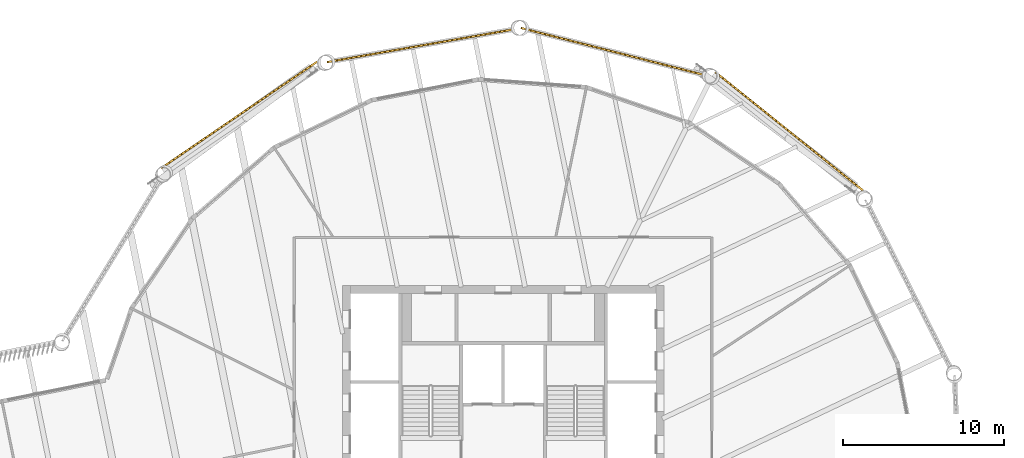
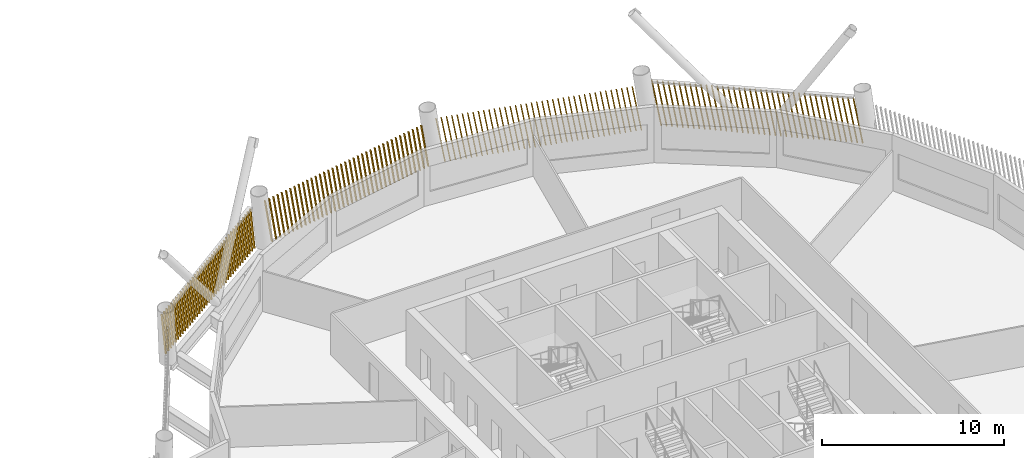
# One storey, part 20 of 21: 4 shading devices.
"""IFC4 building model written with IfcOpenShell, lengths in metres."""

import ifcopenshell
import ifcopenshell.guid

model = None  # the IFC model being written
_history = None  # IfcOwnerHistory: only IFC2X3 demands one
_inside = {}  # id of a spatial element -> (the spatial element, [elements in it])
_under = {}  # id of a project, library or spatial element -> (it, [spatial elements below it])
_declared = {}  # id of a project -> (the project, [libraries it declares])
_typed = {}  # id of a type object -> (the type object, [elements of that type])
_made_of = {}  # id of a material, layer set ... -> (it, [elements and type objects made of it])


def new_model(schema):
    """Start an empty IFC model of exactly this schema.

    Asked for "IFC4X3", IfcOpenShell would pick the latest addendum, in which some entities
    have other attributes; the version numbers below select the first issue.
    IFC2X3 requires an IfcOwnerHistory on every rooted entity: one is made here for all.
    """
    global model, _history
    if schema == "IFC4X3":
        model = ifcopenshell.file(schema_version=(4, 3, 0, 0))
    else:
        model = ifcopenshell.file(schema=schema)
    _inside.clear()
    _under.clear()
    _declared.clear()
    _typed.clear()
    _made_of.clear()
    _history = None
    if model.schema == "IFC2X3":
        org = make("IfcOrganization", Name="unknown")
        user = make(
            "IfcPersonAndOrganization",
            ThePerson=make("IfcPerson", FamilyName="unknown"),
            TheOrganization=org,
        )
        app = make(
            "IfcApplication",
            ApplicationDeveloper=org,
            Version="unknown",
            ApplicationFullName="unknown",
            ApplicationIdentifier="unknown",
        )
        _history = make(
            "IfcOwnerHistory",
            OwningUser=user,
            OwningApplication=app,
            ChangeAction="ADDED",
            CreationDate=0,
        )
    return model


def make(cls, **values):
    """One entity of the class cls with the attributes given. An attribute that is None is left unset."""
    return model.create_entity(
        cls, **{name: value for name, value in values.items() if value is not None}
    )


def rooted(cls, **values):
    """An entity with a GlobalId (a new one), such as an element, a storey or a relation."""
    return make(cls, GlobalId=ifcopenshell.guid.new(), OwnerHistory=_history, **values)


def si_unit(unit_type, name, prefix=None):
    """IfcSIUnit, for example si_unit("LENGTHUNIT", "METRE", prefix="MILLI")."""
    return make("IfcSIUnit", UnitType=unit_type, Prefix=prefix, Name=name)


def assignment(units):
    """IfcUnitAssignment: the units of a project."""
    return None if units is None else make("IfcUnitAssignment", Units=units)


def point(xyz):
    """IfcCartesianPoint."""
    return None if xyz is None else make("IfcCartesianPoint", Coordinates=xyz)


def direction(xyz):
    """IfcDirection."""
    return None if xyz is None else make("IfcDirection", DirectionRatios=xyz)


def frame(location, z_axis=None, x_axis=None):
    """IfcAxis2Placement3D, a coordinate frame: its origin and axes. An axis left out is left unset."""
    return make(
        "IfcAxis2Placement3D",
        Location=point(location),
        Axis=direction(z_axis),
        RefDirection=direction(x_axis),
    )


def frame_2d(location, x_axis=None):
    """IfcAxis2Placement2D, a coordinate frame in the plane: its origin and x axis."""
    return make(
        "IfcAxis2Placement2D", Location=point(location), RefDirection=direction(x_axis)
    )


def origin():
    """The frame at (0, 0, 0) with its axes left unset."""
    return frame((0.0, 0.0, 0.0))


def place(relative_to, where):
    """IfcLocalPlacement: puts the frame where relative to a parent placement (None: the world)."""
    return make(
        "IfcLocalPlacement", PlacementRelTo=relative_to, RelativePlacement=where
    )


def context(
    kind, dimensions, precision=None, world=None, true_north=None, identifier=None
):
    """IfcGeometricRepresentationContext, for example the 3D "Model" context."""
    return make(
        "IfcGeometricRepresentationContext",
        ContextIdentifier=identifier,
        ContextType=kind,
        CoordinateSpaceDimension=dimensions,
        Precision=precision,
        WorldCoordinateSystem=world,
        TrueNorth=true_north,
    )


def subcontext(parent, identifier, kind, view, scale=None):
    """IfcGeometricRepresentationSubContext, for example "Body" below "Model"."""
    return make(
        "IfcGeometricRepresentationSubContext",
        ContextIdentifier=identifier,
        ContextType=kind,
        ParentContext=parent,
        TargetScale=scale,
        TargetView=view,
    )


def project(units=None, contexts=None):
    """IfcProject with its units and contexts."""
    return rooted(
        "IfcProject",
        Name="project",
        RepresentationContexts=contexts,
        UnitsInContext=assignment(units),
    )


def spatial(cls, under=None, at=None, **own):
    """A site, building, storey or space (cls), placed at a placement, below another one or the project."""
    s = rooted(cls, ObjectPlacement=at, **own)
    if under is not None:
        _under.setdefault(under.id(), (under, []))[1].append(s)
    return s


def profile(cls, at=None, kind="AREA", **sizes):
    """A parametric profile (cls). Its sizes go by their IFC names, for example OverallWidth=200.0."""
    return make(cls, ProfileType=kind, Position=at, **sizes)


def rectangle(**sizes):
    """IfcRectangleProfileDef."""
    return profile("IfcRectangleProfileDef", **sizes)


def composite_profile(profiles, kind="AREA"):
    """IfcCompositeProfileDef: several profiles as one."""
    return make("IfcCompositeProfileDef", ProfileType=kind, Profiles=profiles)


def extrude(swept, where, along, depth):
    """IfcExtrudedAreaSolid: the profile swept, set in the frame where, extruded along a direction by depth."""
    return make(
        "IfcExtrudedAreaSolid",
        SweptArea=swept,
        Position=where,
        ExtrudedDirection=direction(along),
        Depth=depth,
    )


def shape(context_of_items, identifier, shape_type, items):
    """IfcShapeRepresentation: the items that make up one representation, for example the "Body"."""
    return make(
        "IfcShapeRepresentation",
        ContextOfItems=context_of_items,
        RepresentationIdentifier=identifier,
        RepresentationType=shape_type,
        Items=items,
    )


def material(Name=None, Category=None):
    """IfcMaterial."""
    return make("IfcMaterial", Name=Name, Category=Category)


def made_of(thing, what):
    """Note that an element or type object is made of a material, layer set ...; save() writes the relation."""
    if what is not None:
        _made_of.setdefault(what.id(), (what, []))[1].append(thing)
    return thing


def type_object(cls, material=None, **own):
    """A type object (cls), such as IfcWallType, which elements share."""
    return made_of(rooted(cls, **own), material)


def element(
    cls,
    number,
    at=None,
    inside=None,
    cuts=None,
    type_object=None,
    material=None,
    context=None,
    identifier="Body",
    shape_type=None,
    held_by="IfcProductDefinitionShape",
    body=None,
    shapes=None,
    **own,
):
    """One element of the class cls, such as IfcWall. Its Tag is "e" and its number.

    at: its placement. inside: the storey or other place that contains it. cuts: it is an
    opening in that element (IfcRelVoidsElement). A single representation is given by context,
    identifier, shape_type and body (its items); several are given by shapes. held_by: the class
    of the entity that holds the representations. save() writes the other relations.
    """
    e = rooted(cls, Tag="e%d" % number, ObjectPlacement=at, **own)
    if body is not None:
        shapes = [shape(context, identifier, shape_type, body)]
    if shapes is not None:
        e.Representation = make(held_by, Representations=shapes)
    if inside is not None:
        _inside.setdefault(inside.id(), (inside, []))[1].append(e)
    if cuts is not None:
        rooted(
            "IfcRelVoidsElement", RelatingBuildingElement=cuts, RelatedOpeningElement=e
        )
    if type_object is not None:
        _typed.setdefault(type_object.id(), (type_object, []))[1].append(e)
    return made_of(e, material)


def aggregate(whole, parts):
    """IfcRelAggregates: a whole, such as a stair, and the parts it consists of."""
    return rooted("IfcRelAggregates", RelatingObject=whole, RelatedObjects=parts)


def save(model, path):
    """Write the relations noted so far, then the file.

    IfcRelAggregates (storeys below a building ...), IfcRelContainedInSpatialStructure (elements
    in a storey), IfcRelDefinesByType, IfcRelAssociatesMaterial and IfcRelDeclares: one each for
    every whole, place, type object, material and project.
    """
    for whole, parts in _under.values():
        aggregate(whole, parts)
    for where, things in _inside.values():
        rooted(
            "IfcRelContainedInSpatialStructure",
            RelatedElements=things,
            RelatingStructure=where,
        )
    for kind, things in _typed.values():
        rooted("IfcRelDefinesByType", RelatedObjects=things, RelatingType=kind)
    for what, things in _made_of.values():
        rooted("IfcRelAssociatesMaterial", RelatedObjects=things, RelatingMaterial=what)
    for by, libraries in _declared.values():
        rooted("IfcRelDeclares", RelatingContext=by, RelatedDefinitions=libraries)
    model.write(path)


model = new_model("IFC4")

# Units and contexts
model_context = context("Model", 3, precision=1e-05, world=origin(), true_north=direction((0.0, 1.0)))
body_context = subcontext(model_context, "Body", "Model", "MODEL_VIEW")
ifc_project = project(units=[si_unit("LENGTHUNIT", "METRE"), si_unit("AREAUNIT", "SQUARE_METRE"), si_unit("VOLUMEUNIT", "CUBIC_METRE"), si_unit("PLANEANGLEUNIT", "RADIAN"), si_unit("MASSUNIT", "GRAM", prefix="KILO")], contexts=[model_context])

# Site, building, storey
site_placement = place(None, origin())
site = spatial("IfcSite", under=ifc_project, at=site_placement, CompositionType="ELEMENT")
building_placement = place(site_placement, origin())
building = spatial("IfcBuilding", under=site, at=building_placement, Name="Tarsis Ring Headquarters", CompositionType="ELEMENT")
storey_placement = place(building_placement, frame((0.0, 0.0, 331.39990234375)))
storey = spatial("IfcBuildingStorey", under=building, at=storey_placement, Name="L78", CompositionType="ELEMENT", Elevation=331.39990234375)

# Shading devices
ifc_material = material(Name="Terracotta baguette", Category="masonry")
shading_device_type = type_object("IfcShadingDeviceType", Name="Terracotta baguette screen", PredefinedType="USERDEFINED", material=ifc_material)
shading_device_1_placement = place(storey_placement, frame((22.388427734375, 18.924560546875, 0.0), z_axis=(0.0, 0.0, 1.0), x_axis=(-0.780080736175, 0.625661949822, 0.0)))
element("IfcShadingDevice", 1, at=shading_device_1_placement, inside=storey, type_object=shading_device_type, Name="Baguette screen L78-10", ObjectType="Terracotta baguette screen", PredefinedType="USERDEFINED", context=body_context, shape_type="SweptSolid", body=[
    extrude(composite_profile([rectangle(XDim=0.06005859375, YDim=0.1201171875, at=frame_2d((0.030029296875, 0.0))), rectangle(XDim=0.06005859375, YDim=0.1201171875, at=frame_2d((0.33251953125, 0.0))), rectangle(XDim=0.06005859375, YDim=0.1201171875, at=frame_2d((0.634765625, 0.0))), rectangle(XDim=0.06005859375, YDim=0.1201171875, at=frame_2d((0.937255859375, 0.0))), rectangle(XDim=0.06005859375, YDim=0.1201171875, at=frame_2d((1.239501953125, 0.0))), rectangle(XDim=0.06005859375, YDim=0.1201171875, at=frame_2d((1.5419921875, 0.0))), rectangle(XDim=0.06005859375, YDim=0.1201171875, at=frame_2d((1.844482421875, 0.0))), rectangle(XDim=0.06005859375, YDim=0.1201171875, at=frame_2d((2.146728515625, 0.0))), rectangle(XDim=0.06005859375, YDim=0.1201171875, at=frame_2d((2.44921875, 0.0))), rectangle(XDim=0.06005859375, YDim=0.1201171875, at=frame_2d((2.751708984375, 0.0))), rectangle(XDim=0.06005859375, YDim=0.1201171875, at=frame_2d((3.053955078125, 0.0))), rectangle(XDim=0.06005859375, YDim=0.1201171875, at=frame_2d((3.3564453125, 0.0))), rectangle(XDim=0.06005859375, YDim=0.1201171875, at=frame_2d((3.65869140625, 0.0))), rectangle(XDim=0.06005859375, YDim=0.1201171875, at=frame_2d((3.961181640625, 0.0))), rectangle(XDim=0.06005859375, YDim=0.1201171875, at=frame_2d((4.263671875, 0.0))), rectangle(XDim=0.06005859375, YDim=0.1201171875, at=frame_2d((4.56591796875, 0.0))), rectangle(XDim=0.06005859375, YDim=0.1201171875, at=frame_2d((4.868408203125, 0.0))), rectangle(XDim=0.06005859375, YDim=0.1201171875, at=frame_2d((5.1708984375, 0.0))), rectangle(XDim=0.06005859375, YDim=0.1201171875, at=frame_2d((5.47314453125, 0.0))), rectangle(XDim=0.06005859375, YDim=0.1201171875, at=frame_2d((5.775634765625, 0.0))), rectangle(XDim=0.06005859375, YDim=0.1201171875, at=frame_2d((6.077880859375, 0.0))), rectangle(XDim=0.06005859375, YDim=0.1201171875, at=frame_2d((6.38037109375, 0.0))), rectangle(XDim=0.06005859375, YDim=0.1201171875, at=frame_2d((6.682861328125, 0.0))), rectangle(XDim=0.06005859375, YDim=0.1201171875, at=frame_2d((6.985107421875, 0.0))), rectangle(XDim=0.06005859375, YDim=0.1201171875, at=frame_2d((7.28759765625, 0.0))), rectangle(XDim=0.06005859375, YDim=0.1201171875, at=frame_2d((7.590087890625, 0.0))), rectangle(XDim=0.06005859375, YDim=0.1201171875, at=frame_2d((7.892333984375, 0.0))), rectangle(XDim=0.06005859375, YDim=0.1201171875, at=frame_2d((8.19482421875, 0.0))), rectangle(XDim=0.06005859375, YDim=0.1201171875, at=frame_2d((8.4970703125, 0.0))), rectangle(XDim=0.06005859375, YDim=0.1201171875, at=frame_2d((8.799560546875, 0.0))), rectangle(XDim=0.06005859375, YDim=0.1201171875, at=frame_2d((9.10205078125, 0.0))), rectangle(XDim=0.06005859375, YDim=0.1201171875, at=frame_2d((9.404296875, 0.0))), rectangle(XDim=0.06005859375, YDim=0.1201171875, at=frame_2d((9.706787109375, 0.0))), rectangle(XDim=0.06005859375, YDim=0.1201171875, at=frame_2d((10.00927734375, 0.0))), rectangle(XDim=0.06005859375, YDim=0.1201171875, at=frame_2d((10.3115234375, 0.0))), rectangle(XDim=0.06005859375, YDim=0.1201171875, at=frame_2d((10.614013671875, 0.0))), rectangle(XDim=0.06005859375, YDim=0.1201171875, at=frame_2d((10.916259765625, 0.0))), rectangle(XDim=0.06005859375, YDim=0.1201171875, at=frame_2d((11.21875, 0.0)))]), origin(), (0.173277945524, 0.001572794108, 0.984871707337), 3.013671875),
])
shading_device_2_placement = place(storey_placement, frame((12.50439453125, 26.107177734375, 0.0), z_axis=(0.0, 0.0, 1.0), x_axis=(-0.968638090071, 0.248507867607, 0.0)))
element("IfcShadingDevice", 2, at=shading_device_2_placement, inside=storey, type_object=shading_device_type, Name="Baguette screen L78-11", ObjectType="Terracotta baguette screen", PredefinedType="USERDEFINED", context=body_context, shape_type="SweptSolid", body=[
    extrude(composite_profile([rectangle(XDim=0.06005859375, YDim=0.1201171875, at=frame_2d((0.030029296875, 0.0))), rectangle(XDim=0.06005859375, YDim=0.1201171875, at=frame_2d((0.33251953125, 0.0))), rectangle(XDim=0.06005859375, YDim=0.1201171875, at=frame_2d((0.634765625, 0.0))), rectangle(XDim=0.06005859375, YDim=0.1201171875, at=frame_2d((0.937255859375, 0.0))), rectangle(XDim=0.06005859375, YDim=0.1201171875, at=frame_2d((1.239501953125, 0.0))), rectangle(XDim=0.06005859375, YDim=0.1201171875, at=frame_2d((1.5419921875, 0.0))), rectangle(XDim=0.06005859375, YDim=0.1201171875, at=frame_2d((1.844482421875, 0.0))), rectangle(XDim=0.06005859375, YDim=0.1201171875, at=frame_2d((2.146728515625, 0.0))), rectangle(XDim=0.06005859375, YDim=0.1201171875, at=frame_2d((2.44921875, 0.0))), rectangle(XDim=0.06005859375, YDim=0.1201171875, at=frame_2d((2.751708984375, 0.0))), rectangle(XDim=0.06005859375, YDim=0.1201171875, at=frame_2d((3.053955078125, 0.0))), rectangle(XDim=0.06005859375, YDim=0.1201171875, at=frame_2d((3.3564453125, 0.0))), rectangle(XDim=0.06005859375, YDim=0.1201171875, at=frame_2d((3.65869140625, 0.0))), rectangle(XDim=0.06005859375, YDim=0.1201171875, at=frame_2d((3.961181640625, 0.0))), rectangle(XDim=0.06005859375, YDim=0.1201171875, at=frame_2d((4.263671875, 0.0))), rectangle(XDim=0.06005859375, YDim=0.1201171875, at=frame_2d((4.56591796875, 0.0))), rectangle(XDim=0.06005859375, YDim=0.1201171875, at=frame_2d((4.868408203125, 0.0))), rectangle(XDim=0.06005859375, YDim=0.1201171875, at=frame_2d((5.1708984375, 0.0))), rectangle(XDim=0.06005859375, YDim=0.1201171875, at=frame_2d((5.47314453125, 0.0))), rectangle(XDim=0.06005859375, YDim=0.1201171875, at=frame_2d((5.775634765625, 0.0))), rectangle(XDim=0.06005859375, YDim=0.1201171875, at=frame_2d((6.077880859375, 0.0))), rectangle(XDim=0.06005859375, YDim=0.1201171875, at=frame_2d((6.38037109375, 0.0))), rectangle(XDim=0.06005859375, YDim=0.1201171875, at=frame_2d((6.682861328125, 0.0))), rectangle(XDim=0.06005859375, YDim=0.1201171875, at=frame_2d((6.985107421875, 0.0))), rectangle(XDim=0.06005859375, YDim=0.1201171875, at=frame_2d((7.28759765625, 0.0))), rectangle(XDim=0.06005859375, YDim=0.1201171875, at=frame_2d((7.590087890625, 0.0))), rectangle(XDim=0.06005859375, YDim=0.1201171875, at=frame_2d((7.892333984375, 0.0))), rectangle(XDim=0.06005859375, YDim=0.1201171875, at=frame_2d((8.19482421875, 0.0))), rectangle(XDim=0.06005859375, YDim=0.1201171875, at=frame_2d((8.4970703125, 0.0))), rectangle(XDim=0.06005859375, YDim=0.1201171875, at=frame_2d((8.799560546875, 0.0))), rectangle(XDim=0.06005859375, YDim=0.1201171875, at=frame_2d((9.10205078125, 0.0))), rectangle(XDim=0.06005859375, YDim=0.1201171875, at=frame_2d((9.404296875, 0.0))), rectangle(XDim=0.06005859375, YDim=0.1201171875, at=frame_2d((9.706787109375, 0.0))), rectangle(XDim=0.06005859375, YDim=0.1201171875, at=frame_2d((10.00927734375, 0.0))), rectangle(XDim=0.06005859375, YDim=0.1201171875, at=frame_2d((10.3115234375, 0.0))), rectangle(XDim=0.06005859375, YDim=0.1201171875, at=frame_2d((10.614013671875, 0.0))), rectangle(XDim=0.06005859375, YDim=0.1201171875, at=frame_2d((10.916259765625, 0.0))), rectangle(XDim=0.06005859375, YDim=0.1201171875, at=frame_2d((11.21875, 0.0)))]), origin(), (0.171089184275, 0.001553785377, 0.985254320861), 3.012451171875),
])
shading_device_3_placement = place(storey_placement, frame((0.631591796875, 28.9404296875, 0.0), z_axis=(0.0, 0.0, 1.0), x_axis=(-0.98493792864, -0.172866568278, 0.0)))
element("IfcShadingDevice", 3, at=shading_device_3_placement, inside=storey, type_object=shading_device_type, Name="Baguette screen L78-12", ObjectType="Terracotta baguette screen", PredefinedType="USERDEFINED", context=body_context, shape_type="SweptSolid", body=[
    extrude(composite_profile([rectangle(XDim=0.06005859375, YDim=0.1201171875, at=frame_2d((0.030029296875, 0.0))), rectangle(XDim=0.06005859375, YDim=0.1201171875, at=frame_2d((0.33251953125, 0.0))), rectangle(XDim=0.06005859375, YDim=0.1201171875, at=frame_2d((0.634765625, 0.0))), rectangle(XDim=0.06005859375, YDim=0.1201171875, at=frame_2d((0.937255859375, 0.0))), rectangle(XDim=0.06005859375, YDim=0.1201171875, at=frame_2d((1.239501953125, 0.0))), rectangle(XDim=0.06005859375, YDim=0.1201171875, at=frame_2d((1.5419921875, 0.0))), rectangle(XDim=0.06005859375, YDim=0.1201171875, at=frame_2d((1.844482421875, 0.0))), rectangle(XDim=0.06005859375, YDim=0.1201171875, at=frame_2d((2.146728515625, 0.0))), rectangle(XDim=0.06005859375, YDim=0.1201171875, at=frame_2d((2.44921875, 0.0))), rectangle(XDim=0.06005859375, YDim=0.1201171875, at=frame_2d((2.751708984375, 0.0))), rectangle(XDim=0.06005859375, YDim=0.1201171875, at=frame_2d((3.053955078125, 0.0))), rectangle(XDim=0.06005859375, YDim=0.1201171875, at=frame_2d((3.3564453125, 0.0))), rectangle(XDim=0.06005859375, YDim=0.1201171875, at=frame_2d((3.65869140625, 0.0))), rectangle(XDim=0.06005859375, YDim=0.1201171875, at=frame_2d((3.961181640625, 0.0))), rectangle(XDim=0.06005859375, YDim=0.1201171875, at=frame_2d((4.263671875, 0.0))), rectangle(XDim=0.06005859375, YDim=0.1201171875, at=frame_2d((4.56591796875, 0.0))), rectangle(XDim=0.06005859375, YDim=0.1201171875, at=frame_2d((4.868408203125, 0.0))), rectangle(XDim=0.06005859375, YDim=0.1201171875, at=frame_2d((5.1708984375, 0.0))), rectangle(XDim=0.06005859375, YDim=0.1201171875, at=frame_2d((5.47314453125, 0.0))), rectangle(XDim=0.06005859375, YDim=0.1201171875, at=frame_2d((5.775634765625, 0.0))), rectangle(XDim=0.06005859375, YDim=0.1201171875, at=frame_2d((6.077880859375, 0.0))), rectangle(XDim=0.06005859375, YDim=0.1201171875, at=frame_2d((6.38037109375, 0.0))), rectangle(XDim=0.06005859375, YDim=0.1201171875, at=frame_2d((6.682861328125, 0.0))), rectangle(XDim=0.06005859375, YDim=0.1201171875, at=frame_2d((6.985107421875, 0.0))), rectangle(XDim=0.06005859375, YDim=0.1201171875, at=frame_2d((7.28759765625, 0.0))), rectangle(XDim=0.06005859375, YDim=0.1201171875, at=frame_2d((7.590087890625, 0.0))), rectangle(XDim=0.06005859375, YDim=0.1201171875, at=frame_2d((7.892333984375, 0.0))), rectangle(XDim=0.06005859375, YDim=0.1201171875, at=frame_2d((8.19482421875, 0.0))), rectangle(XDim=0.06005859375, YDim=0.1201171875, at=frame_2d((8.4970703125, 0.0))), rectangle(XDim=0.06005859375, YDim=0.1201171875, at=frame_2d((8.799560546875, 0.0))), rectangle(XDim=0.06005859375, YDim=0.1201171875, at=frame_2d((9.10205078125, 0.0))), rectangle(XDim=0.06005859375, YDim=0.1201171875, at=frame_2d((9.404296875, 0.0))), rectangle(XDim=0.06005859375, YDim=0.1201171875, at=frame_2d((9.706787109375, 0.0))), rectangle(XDim=0.06005859375, YDim=0.1201171875, at=frame_2d((10.00927734375, 0.0))), rectangle(XDim=0.06005859375, YDim=0.1201171875, at=frame_2d((10.3115234375, 0.0))), rectangle(XDim=0.06005859375, YDim=0.1201171875, at=frame_2d((10.614013671875, 0.0))), rectangle(XDim=0.06005859375, YDim=0.1201171875, at=frame_2d((10.916259765625, 0.0))), rectangle(XDim=0.06005859375, YDim=0.1201171875, at=frame_2d((11.21875, 0.0)))]), origin(), (0.171086659512, 0.001550132447, 0.985254765036), 3.012451171875),
])
shading_device_4_placement = place(storey_placement, frame((-11.56494140625, 26.9375, 0.0), z_axis=(0.0, 0.0, 1.0), x_axis=(-0.826131307651, -0.563472599023, 0.0)))
element("IfcShadingDevice", 4, at=shading_device_4_placement, inside=storey, type_object=shading_device_type, Name="Baguette screen L78-13", ObjectType="Terracotta baguette screen", PredefinedType="USERDEFINED", context=body_context, shape_type="SweptSolid", body=[
    extrude(composite_profile([rectangle(XDim=0.06005859375, YDim=0.1201171875, at=frame_2d((0.030029296875, 0.0))), rectangle(XDim=0.06005859375, YDim=0.1201171875, at=frame_2d((0.33251953125, 0.0))), rectangle(XDim=0.06005859375, YDim=0.1201171875, at=frame_2d((0.634765625, 0.0))), rectangle(XDim=0.06005859375, YDim=0.1201171875, at=frame_2d((0.937255859375, 0.0))), rectangle(XDim=0.06005859375, YDim=0.1201171875, at=frame_2d((1.239501953125, 0.0))), rectangle(XDim=0.06005859375, YDim=0.1201171875, at=frame_2d((1.5419921875, 0.0))), rectangle(XDim=0.06005859375, YDim=0.1201171875, at=frame_2d((1.844482421875, 0.0))), rectangle(XDim=0.06005859375, YDim=0.1201171875, at=frame_2d((2.146728515625, 0.0))), rectangle(XDim=0.06005859375, YDim=0.1201171875, at=frame_2d((2.44921875, 0.0))), rectangle(XDim=0.06005859375, YDim=0.1201171875, at=frame_2d((2.751708984375, 0.0))), rectangle(XDim=0.06005859375, YDim=0.1201171875, at=frame_2d((3.053955078125, 0.0))), rectangle(XDim=0.06005859375, YDim=0.1201171875, at=frame_2d((3.3564453125, 0.0))), rectangle(XDim=0.06005859375, YDim=0.1201171875, at=frame_2d((3.65869140625, 0.0))), rectangle(XDim=0.06005859375, YDim=0.1201171875, at=frame_2d((3.961181640625, 0.0))), rectangle(XDim=0.06005859375, YDim=0.1201171875, at=frame_2d((4.263671875, 0.0))), rectangle(XDim=0.06005859375, YDim=0.1201171875, at=frame_2d((4.56591796875, 0.0))), rectangle(XDim=0.06005859375, YDim=0.1201171875, at=frame_2d((4.868408203125, 0.0))), rectangle(XDim=0.06005859375, YDim=0.1201171875, at=frame_2d((5.1708984375, 0.0))), rectangle(XDim=0.06005859375, YDim=0.1201171875, at=frame_2d((5.47314453125, 0.0))), rectangle(XDim=0.06005859375, YDim=0.1201171875, at=frame_2d((5.775634765625, 0.0))), rectangle(XDim=0.06005859375, YDim=0.1201171875, at=frame_2d((6.077880859375, 0.0))), rectangle(XDim=0.06005859375, YDim=0.1201171875, at=frame_2d((6.38037109375, 0.0))), rectangle(XDim=0.06005859375, YDim=0.1201171875, at=frame_2d((6.682861328125, 0.0))), rectangle(XDim=0.06005859375, YDim=0.1201171875, at=frame_2d((6.985107421875, 0.0))), rectangle(XDim=0.06005859375, YDim=0.1201171875, at=frame_2d((7.28759765625, 0.0))), rectangle(XDim=0.06005859375, YDim=0.1201171875, at=frame_2d((7.590087890625, 0.0))), rectangle(XDim=0.06005859375, YDim=0.1201171875, at=frame_2d((7.892333984375, 0.0))), rectangle(XDim=0.06005859375, YDim=0.1201171875, at=frame_2d((8.19482421875, 0.0))), rectangle(XDim=0.06005859375, YDim=0.1201171875, at=frame_2d((8.4970703125, 0.0))), rectangle(XDim=0.06005859375, YDim=0.1201171875, at=frame_2d((8.799560546875, 0.0))), rectangle(XDim=0.06005859375, YDim=0.1201171875, at=frame_2d((9.10205078125, 0.0))), rectangle(XDim=0.06005859375, YDim=0.1201171875, at=frame_2d((9.404296875, 0.0))), rectangle(XDim=0.06005859375, YDim=0.1201171875, at=frame_2d((9.706787109375, 0.0))), rectangle(XDim=0.06005859375, YDim=0.1201171875, at=frame_2d((10.00927734375, 0.0))), rectangle(XDim=0.06005859375, YDim=0.1201171875, at=frame_2d((10.3115234375, 0.0))), rectangle(XDim=0.06005859375, YDim=0.1201171875, at=frame_2d((10.614013671875, 0.0))), rectangle(XDim=0.06005859375, YDim=0.1201171875, at=frame_2d((10.916259765625, 0.0))), rectangle(XDim=0.06005859375, YDim=0.1201171875, at=frame_2d((11.21875, 0.0)))]), origin(), (0.173279490513, 0.001572034096, 0.984871436725), 3.013671875),
])

save(model, "model.ifc")
